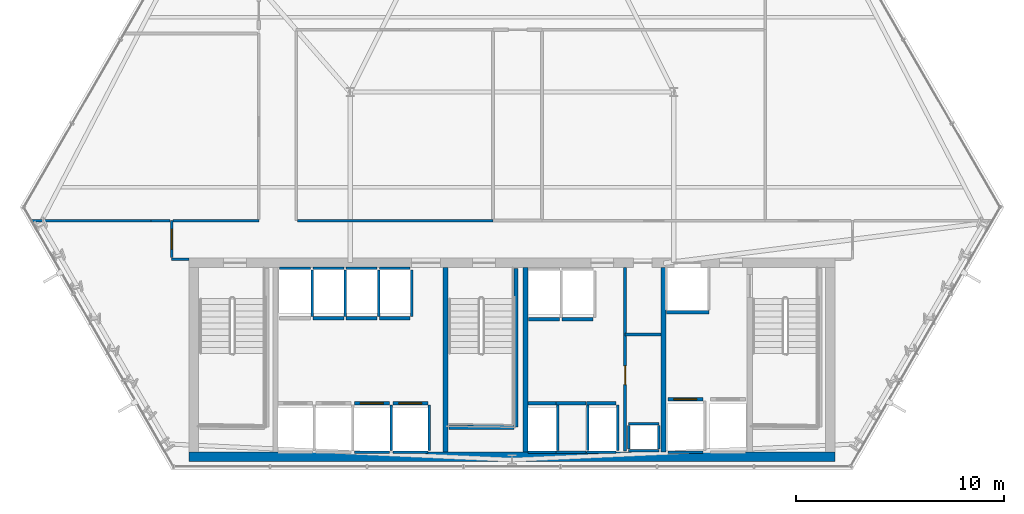
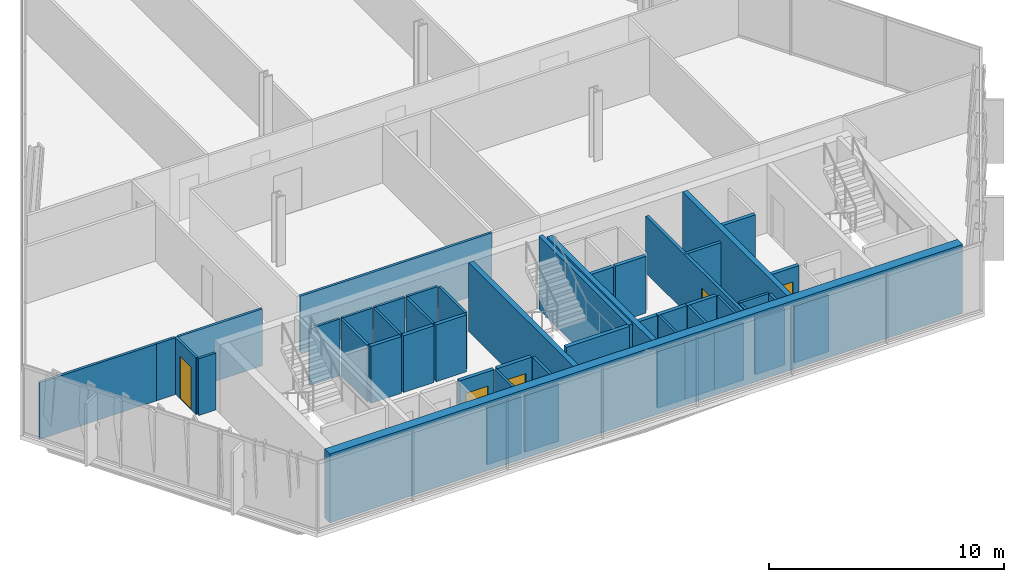
# One storey, part 27 of 33: 49 walls, 5 doors, 5 openings.
"""IFC4 building model written with IfcOpenShell, lengths in metres."""

from ifc_helpers import new_model, si_unit, direction, frame, frame_2d, origin, place, context, subcontext, project, spatial, rectangle, extrude, material, layer, layer_set, type_object, element, fill, save


model = new_model("IFC4")

# Units and contexts
model_context = context("Model", 3, precision=1e-05, world=origin(), true_north=direction((0.0, 1.0)))
body_context = subcontext(model_context, "Body", "Model", "MODEL_VIEW")
ifc_project = project(units=[si_unit("LENGTHUNIT", "METRE"), si_unit("AREAUNIT", "SQUARE_METRE"), si_unit("VOLUMEUNIT", "CUBIC_METRE"), si_unit("PLANEANGLEUNIT", "RADIAN"), si_unit("MASSUNIT", "GRAM", prefix="KILO")], contexts=[model_context])

# Site, building, storey
site_placement = place(None, origin())
site = spatial("IfcSite", under=ifc_project, at=site_placement, CompositionType="ELEMENT")
building_placement = place(site_placement, origin())
building = spatial("IfcBuilding", under=site, at=building_placement, Name="Ndaravel Arena Tower", CompositionType="ELEMENT")
storey_placement = place(building_placement, frame((0.0, 0.0, 89.199951171875)))
storey = spatial("IfcBuildingStorey", under=building, at=storey_placement, Name="L20", CompositionType="ELEMENT", Elevation=89.199951171875)

# Wall, opening, door
ifc_material_1 = material(Name="Gypsum", Category="gypsum")
ifc_layer_1 = layer(ifc_material_1, 0.14990234375)
ifc_layer_set_1 = layer_set([ifc_layer_1], Name="Gypsum")
wall_type_1 = type_object("IfcWallType", Name="WALL-COMP-150", PredefinedType="PARTITIONING", material=ifc_layer_set_1)
wall_1_placement = place(storey_placement, frame((47.449951171875, 5.89990234375, 0.0), z_axis=(0.0, 0.0, 1.0), x_axis=(0.0, 1.0, 0.0)))
wall_1 = element("IfcWall", 1, at=wall_1_placement, inside=storey, type_object=wall_type_1, Name="L20 Core Riser Bay Partition", PredefinedType="PARTITIONING", context=body_context, shape_type="SweptSolid", body=[
    extrude(rectangle(XDim=8.85009765625, YDim=0.14990234375, at=frame_2d((4.425048828125, 0.0))), origin(), (0.0, 0.0, 1.0), 2.949951171875),
])
opening_1_placement = place(wall_1_placement, frame((3.199951171875, 0.0, 0.0)))
opening_1 = element("IfcOpeningElement", 2, at=opening_1_placement, cuts=wall_1, Name="Opening RD-01", PredefinedType="OPENING", context=body_context, shape_type="SweptSolid", body=[
    extrude(rectangle(XDim=0.89990234375, YDim=2.10009765625, at=frame_2d((0.449951171875, 1.050048828125))), frame((0.0, 0.074951171875, 0.0), z_axis=(0.0, -1.0, 0.0), x_axis=(1.0, 0.0, 0.0)), (0.0, 0.0, 1.0), 0.14990234375),
])
ifc_material_2 = material(Name="Steel S355", Category="steel")
door_type_1 = type_object("IfcDoorType", Name="DT-08-RISER-900", OperationType="SINGLE_SWING_LEFT", PredefinedType="DOOR", material=ifc_material_2)
door_1_placement = place(opening_1_placement, origin())
door_1 = element("IfcDoor", 3, at=door_1_placement, inside=storey, type_object=door_type_1, Name="L20 Sub-Metering Closet Door", OperationType="SINGLE_SWING_LEFT", OverallHeight=2.10009765625, OverallWidth=0.89990234375, PredefinedType="DOOR", context=body_context, shape_type="SweptSolid", body=[
    extrude(rectangle(XDim=0.89990234375, YDim=2.10009765625, at=frame_2d((0.449951171875, 1.050048828125))), frame((0.0, 0.02490234375, 0.0), z_axis=(0.0, -1.0, 0.0), x_axis=(1.0, 0.0, 0.0)), (0.0, 0.0, 1.0), 0.050048828125),
])
fill(opening_1, door_1)

# Walls
wall_2_placement = place(storey_placement, frame((47.449951171875, 11.52001953125, 0.0), z_axis=(0.0, 0.0, 1.0), x_axis=(1.0, 0.0, 0.0)))
element("IfcWall", 4, at=wall_2_placement, inside=storey, type_object=wall_type_1, Name="L20 Core Riser Divider 1", PredefinedType="PARTITIONING", context=body_context, shape_type="SweptSolid", body=[
    extrude(rectangle(XDim=1.72998046875, YDim=0.14990234375, at=frame_2d((0.864990234375, 0.0))), origin(), (0.0, 0.0, 1.0), 2.949951171875),
])
ifc_material_3 = material(Name="Concrete C60/75", Category="concrete")
ifc_layer_2 = layer(ifc_material_3, 0.25)
ifc_layer_set_2 = layer_set([ifc_layer_2], Name="Concrete C60/75")
wall_type_2 = type_object("IfcWallType", Name="WALL-CORE-250", PredefinedType="SOLIDWALL", material=ifc_layer_set_2)
for number, where, z_axis, x_axis, name in (
    (5, (38.800048828125, 5.85009765625, 0.0), (0.0, 0.0, 1.0), (0.0, 1.0, 0.0), "L20 Core Web Shear Wall 2"),
    (6, (42.64990234375, 5.85009765625, 0.0), (0.0, 0.0, 1.0), (0.0, 1.0, 0.0), "L20 Core Web Shear Wall 3"),
    (7, (49.300048828125, 5.85009765625, 0.0), (0.0, 0.0, 1.0), (0.0, 1.0, 0.0), "L20 Core Web Shear Wall 4"),
):
    element("IfcWall", number, at=place(storey_placement, frame(where, z_axis=z_axis, x_axis=x_axis)), inside=storey, type_object=wall_type_2, Name=name, PredefinedType="SOLIDWALL", context=body_context, shape_type="SweptSolid", body=[
        extrude(rectangle(XDim=8.89990234375, YDim=0.25, at=frame_2d((4.449951171875, 0.0))), origin(), (0.0, 0.0, 1.0), 3.580078125),
    ])
ifc_material_4 = material(Name="Concrete C60/75", Category="concrete")
ifc_layer_3 = layer(ifc_material_4, 0.449951171875)
ifc_layer_set_3 = layer_set([ifc_layer_3], Name="Concrete C60/75")
wall_type_3 = type_object("IfcWallType", Name="WALL-CORE-450", PredefinedType="SOLIDWALL", material=ifc_layer_set_3)
wall_3_placement = place(storey_placement, frame((26.449951171875, 5.625, 0.0), z_axis=(0.0, 0.0, 1.0), x_axis=(1.0, 0.0, 0.0)))
element("IfcWall", 8, at=wall_3_placement, inside=storey, type_object=wall_type_3, Name="L20 Core South Shear Wall", PredefinedType="SOLIDWALL", context=body_context, shape_type="SweptSolid", body=[
    extrude(rectangle(XDim=31.10009765625, YDim=0.449951171875, at=frame_2d((15.550048828125, 0.0))), origin(), (0.0, 0.0, 1.0), 3.580078125),
])
ifc_material_5 = material(Name="Gypsum", Category="gypsum")
ifc_layer_4 = layer(ifc_material_5, 0.125)
ifc_layer_set_4 = layer_set([ifc_layer_4], Name="Gypsum")
wall_type_4 = type_object("IfcWallType", Name="WALL-PART-125", PredefinedType="PARTITIONING", material=ifc_layer_set_4)
wall_4_placement = place(storey_placement, frame((26.449951171875, 15.14990234375, 0.0), z_axis=(0.0, 0.0, 1.0), x_axis=(-1.0, 0.0, 0.0)))
element("IfcWall", 9, at=wall_4_placement, inside=storey, type_object=wall_type_4, Name="L20 Interior Partition 003", PredefinedType="PARTITIONING", context=body_context, shape_type="SweptSolid", body=[
    extrude(rectangle(XDim=0.849853515625, YDim=0.125, at=frame_2d((0.4248046875, 0.0))), origin(), (0.0, 0.0, 1.0), 2.949951171875),
])

# Wall, opening, door
wall_5_placement = place(storey_placement, frame((25.60009765625, 15.215087890625, 0.0), z_axis=(0.0, 0.0, 1.0), x_axis=(0.0, 1.0, 0.0)))
wall_5 = element("IfcWall", 10, at=wall_5_placement, inside=storey, type_object=wall_type_4, Name="L20 Interior Partition 004", PredefinedType="PARTITIONING", context=body_context, shape_type="SweptSolid", body=[
    extrude(rectangle(XDim=1.784912109375, YDim=0.125, at=frame_2d((0.892578125, 0.0))), origin(), (0.0, 0.0, 1.0), 2.949951171875),
])
opening_2_placement = place(wall_5_placement, frame((0.41748046875, 0.0, 0.0)))
opening_2 = element("IfcOpeningElement", 11, at=opening_2_placement, cuts=wall_5, Name="Opening ID-01", PredefinedType="OPENING", context=body_context, shape_type="SweptSolid", body=[
    extrude(rectangle(XDim=0.949951171875, YDim=2.199951171875, at=frame_2d((0.47509765625, 1.10009765625))), frame((0.0, 0.0625, 0.0), z_axis=(0.0, -1.0, 0.0), x_axis=(1.0, 0.0, 0.0)), (0.0, 0.0, 1.0), 0.125),
])
ifc_material_6 = material(Name="Timber", Category="wood")
door_type_2 = type_object("IfcDoorType", Name="DT-03-OFFICE-950", OperationType="SINGLE_SWING_LEFT", PredefinedType="DOOR", material=ifc_material_6)
door_2_placement = place(opening_2_placement, origin())
door_2 = element("IfcDoor", 12, at=door_2_placement, inside=storey, type_object=door_type_2, Name="L20 Open Plan Workplace Door", OperationType="SINGLE_SWING_LEFT", OverallHeight=2.199951171875, OverallWidth=0.949951171875, PredefinedType="DOOR", context=body_context, shape_type="SweptSolid", body=[
    extrude(rectangle(XDim=0.949951171875, YDim=2.199951171875, at=frame_2d((0.47509765625, 1.10009765625))), frame((0.0, 0.02490234375, 0.0), z_axis=(0.0, -1.0, 0.0), x_axis=(1.0, 0.0, 0.0)), (0.0, 0.0, 1.0), 0.050048828125),
])
fill(opening_2, door_2)

# Walls
wall_6_placement = place(storey_placement, frame((25.6650390625, 17.0, 0.0), z_axis=(0.0, 0.0, 1.0), x_axis=(1.0, 0.0, 0.0)))
element("IfcWall", 13, at=wall_6_placement, inside=storey, type_object=wall_type_4, Name="L20 Interior Partition 005", PredefinedType="PARTITIONING", context=body_context, shape_type="SweptSolid", body=[
    extrude(rectangle(XDim=4.135009765625, YDim=0.125, at=frame_2d((2.0673828125, 0.0))), origin(), (0.0, 0.0, 1.0), 2.949951171875),
])
wall_7_placement = place(storey_placement, frame((31.6650390625, 17.0, 0.0), z_axis=(0.0, 0.0, 1.0), x_axis=(1.0, 0.0, 0.0)))
element("IfcWall", 14, at=wall_7_placement, inside=storey, type_object=wall_type_4, Name="L20 Interior Partition 018", PredefinedType="PARTITIONING", context=body_context, shape_type="SweptSolid", body=[
    extrude(rectangle(XDim=9.427001953125, YDim=0.125, at=frame_2d((4.71337890625, 0.0))), origin(), (0.0, 0.0, 1.0), 2.949951171875),
])
wall_8_placement = place(storey_placement, frame((18.855224609375, 17.0, 0.0), z_axis=(0.0, 0.0, 1.0), x_axis=(1.0, 0.0, 0.0)))
element("IfcWall", 15, at=wall_8_placement, inside=storey, type_object=wall_type_4, Name="L20 Interior Partition 022", PredefinedType="PARTITIONING", context=body_context, shape_type="SweptSolid", body=[
    extrude(rectangle(XDim=5.744873046875, YDim=0.125, at=frame_2d((2.87255859375, 0.0))), origin(), (0.0, 0.0, 1.0), 2.949951171875),
])
wall_9_placement = place(storey_placement, frame((24.60009765625, 17.0, 0.0), z_axis=(0.0, 0.0, 1.0), x_axis=(1.0, 0.0, 0.0)))
element("IfcWall", 16, at=wall_9_placement, inside=storey, type_object=wall_type_4, Name="L20 Interior Partition 023", PredefinedType="PARTITIONING", context=body_context, shape_type="SweptSolid", body=[
    extrude(rectangle(XDim=0.934814453125, YDim=0.125, at=frame_2d((0.46728515625, 0.0))), origin(), (0.0, 0.0, 1.0), 2.949951171875),
])
ifc_material_7 = material(Name="Concrete C40/50", Category="concrete")
ifc_layer_5 = layer(ifc_material_7, 0.1201171875)
ifc_layer_set_5 = layer_set([ifc_layer_5], Name="Concrete C40/50")
wall_type_5 = type_object("IfcWallType", Name="WALL-SHAFT-120", PredefinedType="SOLIDWALL", material=ifc_layer_set_5)
for number, where, z_axis, x_axis, name in (
    (17, (47.6201171875, 5.919921875, 0.0), (0.0, 0.0, 1.0), (1.0, 0.0, 0.0), "L20 MEP Riser Shaft S Wall"),
    (18, (47.6201171875, 7.219970703125, 0.0), (0.0, 0.0, 1.0), (1.0, 0.0, 0.0), "L20 MEP Riser Shaft N Wall"),
):
    element("IfcWall", number, at=place(storey_placement, frame(where, z_axis=z_axis, x_axis=x_axis)), inside=storey, type_object=wall_type_5, Name=name, PredefinedType="SOLIDWALL", context=body_context, shape_type="SweptSolid", body=[
        extrude(rectangle(XDim=1.4599609375, YDim=0.1201171875, at=frame_2d((0.72998046875, 0.0))), origin(), (0.0, 0.0, 1.0), 2.949951171875),
    ])
for number, where, z_axis, x_axis, name in (
    (19, (47.6201171875, 6.0, 0.0), (0.0, 0.0, 1.0), (0.0, 1.0, 0.0), "L20 MEP Riser Shaft W Wall"),
    (20, (49.080078125, 6.0, 0.0), (0.0, 0.0, 1.0), (0.0, 1.0, 0.0), "L20 MEP Riser Shaft E Wall"),
):
    element("IfcWall", number, at=place(storey_placement, frame(where, z_axis=z_axis, x_axis=x_axis)), inside=storey, type_object=wall_type_5, Name=name, PredefinedType="SOLIDWALL", context=body_context, shape_type="SweptSolid", body=[
        extrude(rectangle(XDim=1.139892578125, YDim=0.1201171875, at=frame_2d((0.56982421875, 0.0))), origin(), (0.0, 0.0, 1.0), 2.949951171875),
    ])
wall_10_placement = place(storey_placement, frame((34.405029296875, 5.840087890625, 0.0), z_axis=(0.0, 0.0, 1.0), x_axis=(1.0, 0.0, 0.0)))
element("IfcWall", 21, at=wall_10_placement, inside=storey, type_object=wall_type_5, Name="L20 PL-L3 Shaft Rear Wall", PredefinedType="SOLIDWALL", context=body_context, shape_type="SweptSolid", body=[
    extrude(rectangle(XDim=1.68994140625, YDim=0.1201171875, at=frame_2d((0.844970703125, 0.0))), origin(), (0.0, 0.0, 1.0), 2.949951171875),
])
wall_11_placement = place(storey_placement, frame((36.175048828125, 5.929931640625, 0.0), z_axis=(0.0, 0.0, 1.0), x_axis=(0.0, 1.0, 0.0)))
element("IfcWall", 22, at=wall_11_placement, inside=storey, type_object=wall_type_5, Name="L20 PL-L3 Shaft Side R Wall", PredefinedType="SOLIDWALL", context=body_context, shape_type="SweptSolid", body=[
    extrude(rectangle(XDim=2.18017578125, YDim=0.1201171875, at=frame_2d((1.090087890625, 0.0))), origin(), (0.0, 0.0, 1.0), 2.949951171875),
])
wall_12_placement = place(storey_placement, frame((36.2548828125, 5.840087890625, 0.0), z_axis=(0.0, 0.0, 1.0), x_axis=(1.0, 0.0, 0.0)))
element("IfcWall", 23, at=wall_12_placement, inside=storey, type_object=wall_type_5, Name="L20 PL-L4 Shaft Rear Wall", PredefinedType="SOLIDWALL", context=body_context, shape_type="SweptSolid", body=[
    extrude(rectangle(XDim=1.690185546875, YDim=0.1201171875, at=frame_2d((0.84521484375, 0.0))), origin(), (0.0, 0.0, 1.0), 2.949951171875),
])
wall_13_placement = place(storey_placement, frame((38.02490234375, 5.929931640625, 0.0), z_axis=(0.0, 0.0, 1.0), x_axis=(0.0, 1.0, 0.0)))
element("IfcWall", 24, at=wall_13_placement, inside=storey, type_object=wall_type_5, Name="L20 PL-L4 Shaft Side R Wall", PredefinedType="SOLIDWALL", context=body_context, shape_type="SweptSolid", body=[
    extrude(rectangle(XDim=2.18017578125, YDim=0.1201171875, at=frame_2d((1.090087890625, 0.0))), origin(), (0.0, 0.0, 1.0), 2.949951171875),
])
wall_14_placement = place(storey_placement, frame((30.804931640625, 14.7099609375, 0.0), z_axis=(0.0, 0.0, 1.0), x_axis=(1.0, 0.0, 0.0)))
element("IfcWall", 25, at=wall_14_placement, inside=storey, type_object=wall_type_5, Name="L20 PL-M1 Shaft Rear Wall", PredefinedType="SOLIDWALL", context=body_context, shape_type="SweptSolid", body=[
    extrude(rectangle(XDim=1.489990234375, YDim=0.1201171875, at=frame_2d((0.7451171875, 0.0))), origin(), (0.0, 0.0, 1.0), 2.949951171875),
])
wall_15_placement = place(storey_placement, frame((32.375, 12.389892578125, 0.0), z_axis=(0.0, 0.0, 1.0), x_axis=(0.0, 1.0, 0.0)))
element("IfcWall", 26, at=wall_15_placement, inside=storey, type_object=wall_type_5, Name="L20 PL-M1 Shaft Side R Wall", PredefinedType="SOLIDWALL", context=body_context, shape_type="SweptSolid", body=[
    extrude(rectangle(XDim=2.230224609375, YDim=0.1201171875, at=frame_2d((1.115234375, 0.0))), origin(), (0.0, 0.0, 1.0), 2.949951171875),
])
wall_16_placement = place(storey_placement, frame((32.405029296875, 14.7099609375, 0.0), z_axis=(0.0, 0.0, 1.0), x_axis=(1.0, 0.0, 0.0)))
element("IfcWall", 27, at=wall_16_placement, inside=storey, type_object=wall_type_5, Name="L20 PL-M2 Shaft Rear Wall", PredefinedType="SOLIDWALL", context=body_context, shape_type="SweptSolid", body=[
    extrude(rectangle(XDim=1.489990234375, YDim=0.1201171875, at=frame_2d((0.7451171875, 0.0))), origin(), (0.0, 0.0, 1.0), 2.949951171875),
])
wall_17_placement = place(storey_placement, frame((33.97509765625, 12.389892578125, 0.0), z_axis=(0.0, 0.0, 1.0), x_axis=(0.0, 1.0, 0.0)))
element("IfcWall", 28, at=wall_17_placement, inside=storey, type_object=wall_type_5, Name="L20 PL-M2 Shaft Side R Wall", PredefinedType="SOLIDWALL", context=body_context, shape_type="SweptSolid", body=[
    extrude(rectangle(XDim=2.230224609375, YDim=0.1201171875, at=frame_2d((1.115234375, 0.0))), origin(), (0.0, 0.0, 1.0), 2.949951171875),
])
wall_18_placement = place(storey_placement, frame((34.0048828125, 14.7099609375, 0.0), z_axis=(0.0, 0.0, 1.0), x_axis=(1.0, 0.0, 0.0)))
element("IfcWall", 29, at=wall_18_placement, inside=storey, type_object=wall_type_5, Name="L20 PL-M3 Shaft Rear Wall", PredefinedType="SOLIDWALL", context=body_context, shape_type="SweptSolid", body=[
    extrude(rectangle(XDim=1.490234375, YDim=0.1201171875, at=frame_2d((0.7451171875, 0.0))), origin(), (0.0, 0.0, 1.0), 2.949951171875),
])
wall_19_placement = place(storey_placement, frame((35.574951171875, 12.389892578125, 0.0), z_axis=(0.0, 0.0, 1.0), x_axis=(0.0, 1.0, 0.0)))
element("IfcWall", 30, at=wall_19_placement, inside=storey, type_object=wall_type_5, Name="L20 PL-M3 Shaft Side R Wall", PredefinedType="SOLIDWALL", context=body_context, shape_type="SweptSolid", body=[
    extrude(rectangle(XDim=2.230224609375, YDim=0.1201171875, at=frame_2d((1.115234375, 0.0))), origin(), (0.0, 0.0, 1.0), 2.949951171875),
])
wall_20_placement = place(storey_placement, frame((35.60498046875, 14.7099609375, 0.0), z_axis=(0.0, 0.0, 1.0), x_axis=(1.0, 0.0, 0.0)))
element("IfcWall", 31, at=wall_20_placement, inside=storey, type_object=wall_type_5, Name="L20 PL-M4 Shaft Rear Wall", PredefinedType="SOLIDWALL", context=body_context, shape_type="SweptSolid", body=[
    extrude(rectangle(XDim=1.489990234375, YDim=0.1201171875, at=frame_2d((0.7451171875, 0.0))), origin(), (0.0, 0.0, 1.0), 2.949951171875),
])
wall_21_placement = place(storey_placement, frame((37.175048828125, 12.389892578125, 0.0), z_axis=(0.0, 0.0, 1.0), x_axis=(0.0, 1.0, 0.0)))
element("IfcWall", 32, at=wall_21_placement, inside=storey, type_object=wall_type_5, Name="L20 PL-M4 Shaft Side R Wall", PredefinedType="SOLIDWALL", context=body_context, shape_type="SweptSolid", body=[
    extrude(rectangle(XDim=2.230224609375, YDim=0.1201171875, at=frame_2d((1.115234375, 0.0))), origin(), (0.0, 0.0, 1.0), 2.949951171875),
])
wall_22_placement = place(storey_placement, frame((42.780029296875, 5.840087890625, 0.0), z_axis=(0.0, 0.0, 1.0), x_axis=(1.0, 0.0, 0.0)))
element("IfcWall", 33, at=wall_22_placement, inside=storey, type_object=wall_type_5, Name="L20 PL-H1 Shaft Rear Wall", PredefinedType="SOLIDWALL", context=body_context, shape_type="SweptSolid", body=[
    extrude(rectangle(XDim=1.340087890625, YDim=0.1201171875, at=frame_2d((0.669921875, 0.0))), origin(), (0.0, 0.0, 1.0), 2.949951171875),
])
wall_23_placement = place(storey_placement, frame((44.199951171875, 5.929931640625, 0.0), z_axis=(0.0, 0.0, 1.0), x_axis=(0.0, 1.0, 0.0)))
element("IfcWall", 34, at=wall_23_placement, inside=storey, type_object=wall_type_5, Name="L20 PL-H1 Shaft Side R Wall", PredefinedType="SOLIDWALL", context=body_context, shape_type="SweptSolid", body=[
    extrude(rectangle(XDim=2.18017578125, YDim=0.1201171875, at=frame_2d((1.090087890625, 0.0))), origin(), (0.0, 0.0, 1.0), 2.949951171875),
])
wall_24_placement = place(storey_placement, frame((44.1298828125, 5.840087890625, 0.0), z_axis=(0.0, 0.0, 1.0), x_axis=(1.0, 0.0, 0.0)))
element("IfcWall", 35, at=wall_24_placement, inside=storey, type_object=wall_type_5, Name="L20 PL-H2 Shaft Rear Wall", PredefinedType="SOLIDWALL", context=body_context, shape_type="SweptSolid", body=[
    extrude(rectangle(XDim=1.440185546875, YDim=0.1201171875, at=frame_2d((0.72021484375, 0.0))), origin(), (0.0, 0.0, 1.0), 2.949951171875),
])
wall_25_placement = place(storey_placement, frame((45.64990234375, 5.929931640625, 0.0), z_axis=(0.0, 0.0, 1.0), x_axis=(0.0, 1.0, 0.0)))
element("IfcWall", 36, at=wall_25_placement, inside=storey, type_object=wall_type_5, Name="L20 PL-H2 Shaft Side R Wall", PredefinedType="SOLIDWALL", context=body_context, shape_type="SweptSolid", body=[
    extrude(rectangle(XDim=2.18017578125, YDim=0.1201171875, at=frame_2d((1.090087890625, 0.0))), origin(), (0.0, 0.0, 1.0), 2.949951171875),
])
wall_26_placement = place(storey_placement, frame((45.580078125, 5.840087890625, 0.0), z_axis=(0.0, 0.0, 1.0), x_axis=(1.0, 0.0, 0.0)))
element("IfcWall", 37, at=wall_26_placement, inside=storey, type_object=wall_type_5, Name="L20 PL-H3 Shaft Rear Wall", PredefinedType="SOLIDWALL", context=body_context, shape_type="SweptSolid", body=[
    extrude(rectangle(XDim=1.43994140625, YDim=0.1201171875, at=frame_2d((0.719970703125, 0.0))), origin(), (0.0, 0.0, 1.0), 2.949951171875),
])
wall_27_placement = place(storey_placement, frame((47.10009765625, 5.929931640625, 0.0), z_axis=(0.0, 0.0, 1.0), x_axis=(0.0, 1.0, 0.0)))
element("IfcWall", 38, at=wall_27_placement, inside=storey, type_object=wall_type_5, Name="L20 PL-H3 Shaft Side R Wall", PredefinedType="SOLIDWALL", context=body_context, shape_type="SweptSolid", body=[
    extrude(rectangle(XDim=2.18017578125, YDim=0.1201171875, at=frame_2d((1.090087890625, 0.0))), origin(), (0.0, 0.0, 1.0), 2.949951171875),
])
wall_28_placement = place(storey_placement, frame((49.5048828125, 5.840087890625, 0.0), z_axis=(0.0, 0.0, 1.0), x_axis=(1.0, 0.0, 0.0)))
element("IfcWall", 39, at=wall_28_placement, inside=storey, type_object=wall_type_5, Name="L20 FFL-1 Shaft Rear Wall", PredefinedType="SOLIDWALL", context=body_context, shape_type="SweptSolid", body=[
    extrude(rectangle(XDim=1.690185546875, YDim=0.1201171875, at=frame_2d((0.84521484375, 0.0))), origin(), (0.0, 0.0, 1.0), 2.949951171875),
])
ifc_material_8 = material(Name="Concrete C40/50", Category="concrete")
ifc_layer_6 = layer(ifc_material_8, 0.199951171875)
ifc_layer_set_6 = layer_set([ifc_layer_6], Name="Concrete C40/50")
wall_type_6 = type_object("IfcWallType", Name="WALL-SHAFT-200", PredefinedType="SOLIDWALL", material=ifc_layer_set_6)
wall_29_placement = place(storey_placement, frame((42.18994140625, 14.699951171875, 0.0), z_axis=(0.0, 0.0, 1.0), x_axis=(0.0, -1.0, 0.0)))
element("IfcWall", 40, at=wall_29_placement, inside=storey, type_object=wall_type_6, Name="L20 ST-2 Structural Shaft Wall Right", PredefinedType="SOLIDWALL", context=body_context, shape_type="SweptSolid", body=[
    extrude(rectangle(XDim=7.64990234375, YDim=0.199951171875, at=frame_2d((3.824951171875, 0.0))), origin(), (0.0, 0.0, 1.0), 3.800048828125),
])
wall_30_placement = place(storey_placement, frame((38.969970703125, 7.050048828125, 0.0), z_axis=(0.0, 0.0, 1.0), x_axis=(1.0, 0.0, 0.0)))
element("IfcWall", 41, at=wall_30_placement, inside=storey, type_object=wall_type_6, Name="L20 ST-2 Structural Shaft Wall Far", PredefinedType="SOLIDWALL", context=body_context, shape_type="SweptSolid", body=[
    extrude(rectangle(XDim=3.114990234375, YDim=0.199951171875, at=frame_2d((1.5576171875, 0.0))), origin(), (0.0, 0.0, 1.0), 3.800048828125),
])

# Wall, opening, door
wall_31_placement = place(storey_placement, frame((34.405029296875, 8.199951171875, 0.0), z_axis=(0.0, 0.0, 1.0), x_axis=(1.0, 0.0, 0.0)))
wall_31 = element("IfcWall", 42, at=wall_31_placement, inside=storey, type_object=wall_type_6, Name="L20 PL-L3 Shaft Landing Wall", PredefinedType="SOLIDWALL", context=body_context, shape_type="SweptSolid", body=[
    extrude(rectangle(XDim=1.68994140625, YDim=0.179931640625, at=frame_2d((0.844970703125, 0.0))), origin(), (0.0, 0.0, 1.0), 2.949951171875),
])
opening_3_placement = place(wall_31_placement, frame((0.294921875, 0.0, 0.0)))
opening_3 = element("IfcOpeningElement", 43, at=opening_3_placement, cuts=wall_31, Name="Opening LD-01", PredefinedType="OPENING", context=body_context, shape_type="SweptSolid", body=[
    extrude(rectangle(XDim=1.10009765625, YDim=2.199951171875, at=frame_2d((0.550048828125, 1.10009765625))), frame((0.0, 0.08984375, 0.0), z_axis=(0.0, -1.0, 0.0), x_axis=(1.0, 0.0, 0.0)), (0.0, 0.0, 1.0), 0.179931640625),
])
ifc_material_9 = material(Name="Steel S355", Category="steel")
door_type_3 = type_object("IfcDoorType", Name="DT-06-LIFT-1100", OperationType="SLIDING_TO_LEFT", PredefinedType="DOOR", material=ifc_material_9)
door_3_placement = place(opening_3_placement, origin())
door_3 = element("IfcDoor", 44, at=door_3_placement, inside=storey, type_object=door_type_3, Name="L20 Lift PL-L3 Sliding Landing Door", OperationType="SLIDING_TO_LEFT", OverallHeight=2.199951171875, OverallWidth=1.10009765625, PredefinedType="DOOR", context=body_context, shape_type="SweptSolid", body=[
    extrude(rectangle(XDim=1.10009765625, YDim=2.199951171875, at=frame_2d((0.550048828125, 1.10009765625))), frame((0.0, 0.02490234375, 0.0), z_axis=(0.0, -1.0, 0.0), x_axis=(1.0, 0.0, 0.0)), (0.0, 0.0, 1.0), 0.050048828125),
])
fill(opening_3, door_3)

wall_32_placement = place(storey_placement, frame((36.2548828125, 8.199951171875, 0.0), z_axis=(0.0, 0.0, 1.0), x_axis=(1.0, 0.0, 0.0)))
wall_32 = element("IfcWall", 45, at=wall_32_placement, inside=storey, type_object=wall_type_6, Name="L20 PL-L4 Shaft Landing Wall", PredefinedType="SOLIDWALL", context=body_context, shape_type="SweptSolid", body=[
    extrude(rectangle(XDim=1.690185546875, YDim=0.179931640625, at=frame_2d((0.84521484375, 0.0))), origin(), (0.0, 0.0, 1.0), 2.949951171875),
])
opening_4_placement = place(wall_32_placement, frame((0.294921875, 0.0, 0.0)))
opening_4 = element("IfcOpeningElement", 46, at=opening_4_placement, cuts=wall_32, Name="Opening LD-01", PredefinedType="OPENING", context=body_context, shape_type="SweptSolid", body=[
    extrude(rectangle(XDim=1.10009765625, YDim=2.199951171875, at=frame_2d((0.550048828125, 1.10009765625))), frame((0.0, 0.08984375, 0.0), z_axis=(0.0, -1.0, 0.0), x_axis=(1.0, 0.0, 0.0)), (0.0, 0.0, 1.0), 0.179931640625),
])
door_4_placement = place(opening_4_placement, origin())
door_4 = element("IfcDoor", 47, at=door_4_placement, inside=storey, type_object=door_type_3, Name="L20 Lift PL-L4 Sliding Landing Door", OperationType="SLIDING_TO_LEFT", OverallHeight=2.199951171875, OverallWidth=1.10009765625, PredefinedType="DOOR", context=body_context, shape_type="SweptSolid", body=[
    extrude(rectangle(XDim=1.10009765625, YDim=2.199951171875, at=frame_2d((0.550048828125, 1.10009765625))), frame((0.0, 0.02490234375, 0.0), z_axis=(0.0, -1.0, 0.0), x_axis=(1.0, 0.0, 0.0)), (0.0, 0.0, 1.0), 0.050048828125),
])
fill(opening_4, door_4)

# Walls
wall_33_placement = place(storey_placement, frame((32.405029296875, 12.300048828125, 0.0), z_axis=(0.0, 0.0, 1.0), x_axis=(1.0, 0.0, 0.0)))
element("IfcWall", 48, at=wall_33_placement, inside=storey, type_object=wall_type_6, Name="L20 PL-M2 Shaft Landing Wall", PredefinedType="SOLIDWALL", context=body_context, shape_type="SweptSolid", body=[
    extrude(rectangle(XDim=1.489990234375, YDim=0.179931640625, at=frame_2d((0.7451171875, 0.0))), origin(), (0.0, 0.0, 1.0), 2.949951171875),
])
wall_34_placement = place(storey_placement, frame((34.0048828125, 12.300048828125, 0.0), z_axis=(0.0, 0.0, 1.0), x_axis=(1.0, 0.0, 0.0)))
element("IfcWall", 49, at=wall_34_placement, inside=storey, type_object=wall_type_6, Name="L20 PL-M3 Shaft Landing Wall", PredefinedType="SOLIDWALL", context=body_context, shape_type="SweptSolid", body=[
    extrude(rectangle(XDim=1.490234375, YDim=0.179931640625, at=frame_2d((0.7451171875, 0.0))), origin(), (0.0, 0.0, 1.0), 2.949951171875),
])
wall_35_placement = place(storey_placement, frame((35.60498046875, 12.300048828125, 0.0), z_axis=(0.0, 0.0, 1.0), x_axis=(1.0, 0.0, 0.0)))
element("IfcWall", 50, at=wall_35_placement, inside=storey, type_object=wall_type_6, Name="L20 PL-M4 Shaft Landing Wall", PredefinedType="SOLIDWALL", context=body_context, shape_type="SweptSolid", body=[
    extrude(rectangle(XDim=1.489990234375, YDim=0.179931640625, at=frame_2d((0.7451171875, 0.0))), origin(), (0.0, 0.0, 1.0), 2.949951171875),
])
wall_36_placement = place(storey_placement, frame((42.780029296875, 8.199951171875, 0.0), z_axis=(0.0, 0.0, 1.0), x_axis=(1.0, 0.0, 0.0)))
element("IfcWall", 51, at=wall_36_placement, inside=storey, type_object=wall_type_6, Name="L20 PL-H1 Shaft Landing Wall", PredefinedType="SOLIDWALL", context=body_context, shape_type="SweptSolid", body=[
    extrude(rectangle(XDim=1.340087890625, YDim=0.179931640625, at=frame_2d((0.669921875, 0.0))), origin(), (0.0, 0.0, 1.0), 2.949951171875),
])
wall_37_placement = place(storey_placement, frame((44.1298828125, 8.199951171875, 0.0), z_axis=(0.0, 0.0, 1.0), x_axis=(1.0, 0.0, 0.0)))
element("IfcWall", 52, at=wall_37_placement, inside=storey, type_object=wall_type_6, Name="L20 PL-H2 Shaft Landing Wall", PredefinedType="SOLIDWALL", context=body_context, shape_type="SweptSolid", body=[
    extrude(rectangle(XDim=1.440185546875, YDim=0.179931640625, at=frame_2d((0.72021484375, 0.0))), origin(), (0.0, 0.0, 1.0), 2.949951171875),
])
wall_38_placement = place(storey_placement, frame((45.580078125, 8.199951171875, 0.0), z_axis=(0.0, 0.0, 1.0), x_axis=(1.0, 0.0, 0.0)))
element("IfcWall", 53, at=wall_38_placement, inside=storey, type_object=wall_type_6, Name="L20 PL-H3 Shaft Landing Wall", PredefinedType="SOLIDWALL", context=body_context, shape_type="SweptSolid", body=[
    extrude(rectangle(XDim=1.43994140625, YDim=0.179931640625, at=frame_2d((0.719970703125, 0.0))), origin(), (0.0, 0.0, 1.0), 2.949951171875),
])
for number, where, z_axis, x_axis, name in (
    (54, (42.804931640625, 12.25, 0.0), (0.0, 0.0, 1.0), (1.0, 0.0, 0.0), "L20 PL-OBS1 Shaft Landing Wall"),
    (55, (44.405029296875, 12.25, 0.0), (0.0, 0.0, 1.0), (1.0, 0.0, 0.0), "L20 PL-OBS2 Shaft Landing Wall"),
):
    element("IfcWall", number, at=place(storey_placement, frame(where, z_axis=z_axis, x_axis=x_axis)), inside=storey, type_object=wall_type_6, Name=name, PredefinedType="SOLIDWALL", context=body_context, shape_type="SweptSolid", body=[
        extrude(rectangle(XDim=1.489990234375, YDim=0.179931640625, at=frame_2d((0.7451171875, 0.0))), origin(), (0.0, 0.0, 1.0), 2.949951171875),
    ])

# Wall, opening, door
wall_39_placement = place(storey_placement, frame((49.5048828125, 8.39990234375, 0.0), z_axis=(0.0, 0.0, 1.0), x_axis=(1.0, 0.0, 0.0)))
wall_39 = element("IfcWall", 56, at=wall_39_placement, inside=storey, type_object=wall_type_6, Name="L20 FFL-1 Shaft Landing Wall", PredefinedType="SOLIDWALL", context=body_context, shape_type="SweptSolid", body=[
    extrude(rectangle(XDim=1.690185546875, YDim=0.179931640625, at=frame_2d((0.84521484375, 0.0))), origin(), (0.0, 0.0, 1.0), 2.949951171875),
])
opening_5_placement = place(wall_39_placement, frame((0.294921875, 0.0, 0.0)))
opening_5 = element("IfcOpeningElement", 57, at=opening_5_placement, cuts=wall_39, Name="Opening LD-01", PredefinedType="OPENING", context=body_context, shape_type="SweptSolid", body=[
    extrude(rectangle(XDim=1.10009765625, YDim=2.199951171875, at=frame_2d((0.550048828125, 1.10009765625))), frame((0.0, 0.08984375, 0.0), z_axis=(0.0, -1.0, 0.0), x_axis=(1.0, 0.0, 0.0)), (0.0, 0.0, 1.0), 0.179931640625),
])
door_5_placement = place(opening_5_placement, origin())
door_5 = element("IfcDoor", 58, at=door_5_placement, inside=storey, type_object=door_type_3, Name="L20 Lift FFL-1 Sliding Landing Door", OperationType="SLIDING_TO_LEFT", OverallHeight=2.199951171875, OverallWidth=1.10009765625, PredefinedType="DOOR", context=body_context, shape_type="SweptSolid", body=[
    extrude(rectangle(XDim=1.10009765625, YDim=2.199951171875, at=frame_2d((0.550048828125, 1.10009765625))), frame((0.0, 0.02490234375, 0.0), z_axis=(0.0, -1.0, 0.0), x_axis=(1.0, 0.0, 0.0)), (0.0, 0.0, 1.0), 0.050048828125),
])
fill(opening_5, door_5)

# Wall
wall_40_placement = place(storey_placement, frame((49.43994140625, 12.594970703125, 0.0), z_axis=(0.0, 0.0, 1.0), x_axis=(1.0, 0.0, 0.0)))
element("IfcWall", 59, at=wall_40_placement, inside=storey, type_object=wall_type_6, Name="L20 SVL-1 Shaft South Wall", PredefinedType="SOLIDWALL", context=body_context, shape_type="SweptSolid", body=[
    extrude(rectangle(XDim=2.0400390625, YDim=0.179931640625, at=frame_2d((1.02001953125, 0.0))), origin(), (0.0, 0.0, 1.0), 2.949951171875),
])

save(model, "model.ifc")
